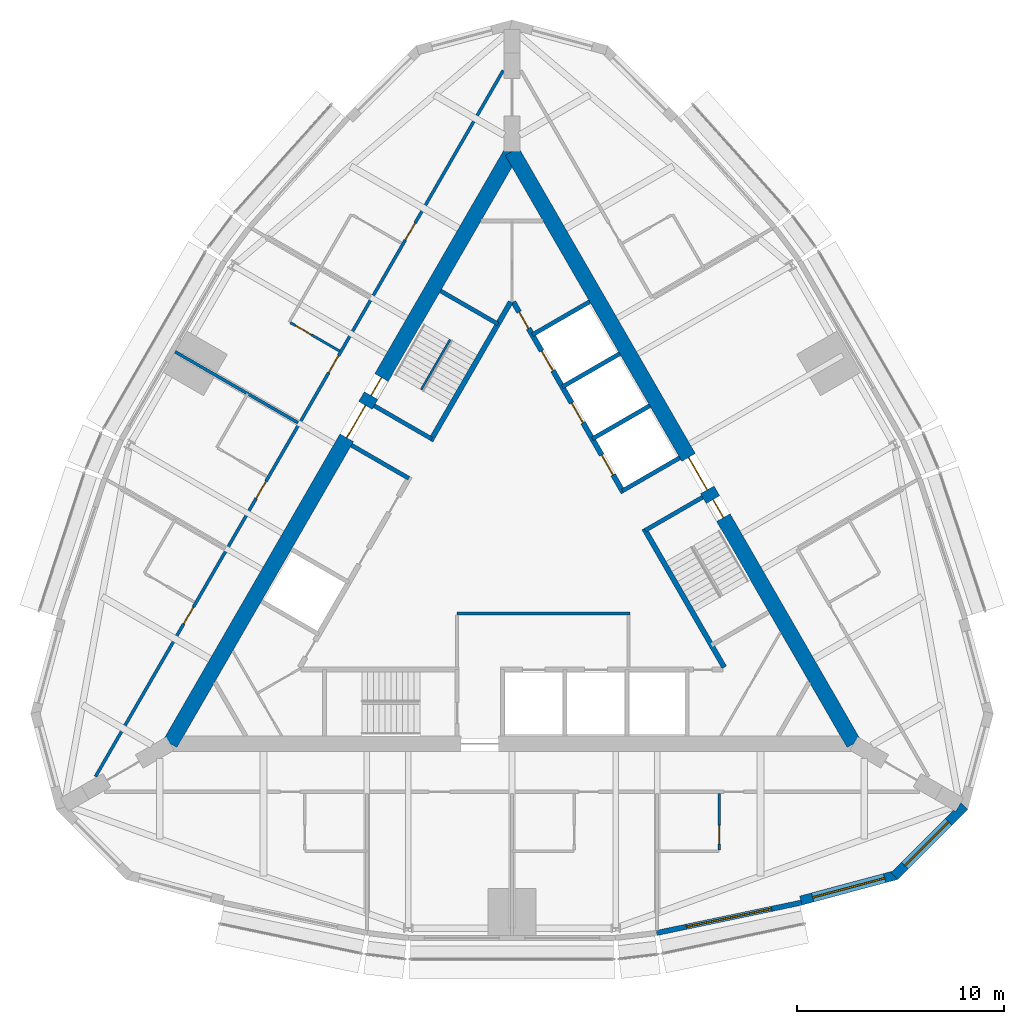
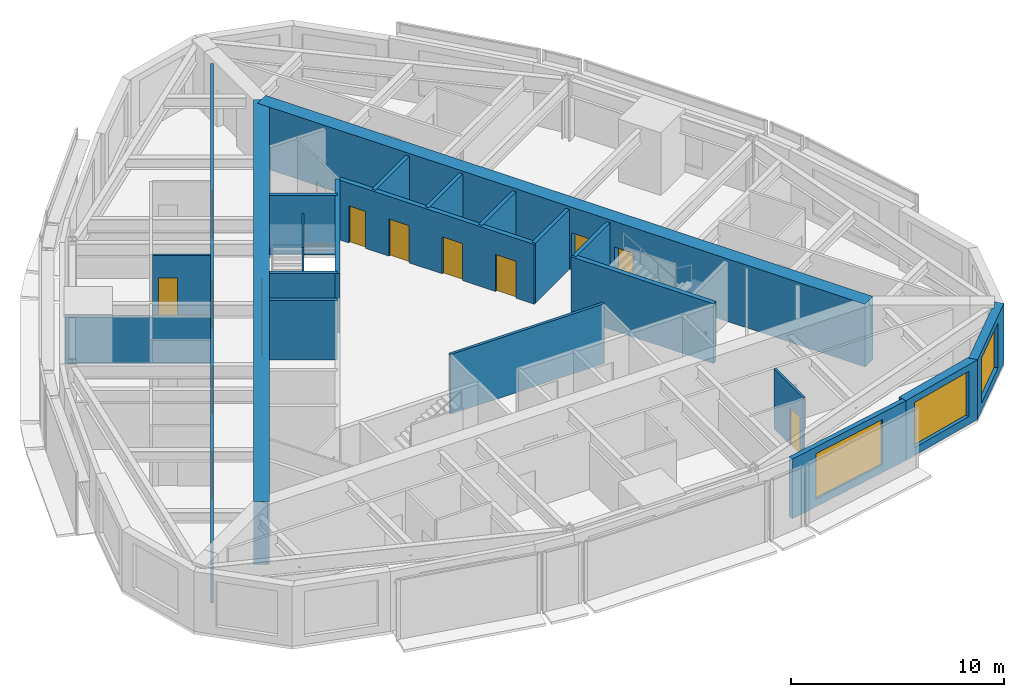
# One storey, part 9 of 12: 22 walls, 14 doors, 3 windows, 17 openings.
"""IFC4 building model written with IfcOpenShell, lengths in metres."""

import ifcopenshell
import ifcopenshell.guid

model = None  # the IFC model being written
_history = None  # IfcOwnerHistory: only IFC2X3 demands one
_inside = {}  # id of a spatial element -> (the spatial element, [elements in it])
_under = {}  # id of a project, library or spatial element -> (it, [spatial elements below it])
_declared = {}  # id of a project -> (the project, [libraries it declares])
_typed = {}  # id of a type object -> (the type object, [elements of that type])
_made_of = {}  # id of a material, layer set ... -> (it, [elements and type objects made of it])


def new_model(schema):
    """Start an empty IFC model of exactly this schema.

    Asked for "IFC4X3", IfcOpenShell would pick the latest addendum, in which some entities
    have other attributes; the version numbers below select the first issue.
    IFC2X3 requires an IfcOwnerHistory on every rooted entity: one is made here for all.
    """
    global model, _history
    if schema == "IFC4X3":
        model = ifcopenshell.file(schema_version=(4, 3, 0, 0))
    else:
        model = ifcopenshell.file(schema=schema)
    _inside.clear()
    _under.clear()
    _declared.clear()
    _typed.clear()
    _made_of.clear()
    _history = None
    if model.schema == "IFC2X3":
        org = make("IfcOrganization", Name="unknown")
        user = make(
            "IfcPersonAndOrganization",
            ThePerson=make("IfcPerson", FamilyName="unknown"),
            TheOrganization=org,
        )
        app = make(
            "IfcApplication",
            ApplicationDeveloper=org,
            Version="unknown",
            ApplicationFullName="unknown",
            ApplicationIdentifier="unknown",
        )
        _history = make(
            "IfcOwnerHistory",
            OwningUser=user,
            OwningApplication=app,
            ChangeAction="ADDED",
            CreationDate=0,
        )
    return model


def make(cls, **values):
    """One entity of the class cls with the attributes given. An attribute that is None is left unset."""
    return model.create_entity(
        cls, **{name: value for name, value in values.items() if value is not None}
    )


def rooted(cls, **values):
    """An entity with a GlobalId (a new one), such as an element, a storey or a relation."""
    return make(cls, GlobalId=ifcopenshell.guid.new(), OwnerHistory=_history, **values)


def si_unit(unit_type, name, prefix=None):
    """IfcSIUnit, for example si_unit("LENGTHUNIT", "METRE", prefix="MILLI")."""
    return make("IfcSIUnit", UnitType=unit_type, Prefix=prefix, Name=name)


def assignment(units):
    """IfcUnitAssignment: the units of a project."""
    return None if units is None else make("IfcUnitAssignment", Units=units)


def point(xyz):
    """IfcCartesianPoint."""
    return None if xyz is None else make("IfcCartesianPoint", Coordinates=xyz)


def direction(xyz):
    """IfcDirection."""
    return None if xyz is None else make("IfcDirection", DirectionRatios=xyz)


def frame(location, z_axis=None, x_axis=None):
    """IfcAxis2Placement3D, a coordinate frame: its origin and axes. An axis left out is left unset."""
    return make(
        "IfcAxis2Placement3D",
        Location=point(location),
        Axis=direction(z_axis),
        RefDirection=direction(x_axis),
    )


def frame_2d(location, x_axis=None):
    """IfcAxis2Placement2D, a coordinate frame in the plane: its origin and x axis."""
    return make(
        "IfcAxis2Placement2D", Location=point(location), RefDirection=direction(x_axis)
    )


def origin():
    """The frame at (0, 0, 0) with its axes left unset."""
    return frame((0.0, 0.0, 0.0))


def place(relative_to, where):
    """IfcLocalPlacement: puts the frame where relative to a parent placement (None: the world)."""
    return make(
        "IfcLocalPlacement", PlacementRelTo=relative_to, RelativePlacement=where
    )


def context(
    kind, dimensions, precision=None, world=None, true_north=None, identifier=None
):
    """IfcGeometricRepresentationContext, for example the 3D "Model" context."""
    return make(
        "IfcGeometricRepresentationContext",
        ContextIdentifier=identifier,
        ContextType=kind,
        CoordinateSpaceDimension=dimensions,
        Precision=precision,
        WorldCoordinateSystem=world,
        TrueNorth=true_north,
    )


def subcontext(parent, identifier, kind, view, scale=None):
    """IfcGeometricRepresentationSubContext, for example "Body" below "Model"."""
    return make(
        "IfcGeometricRepresentationSubContext",
        ContextIdentifier=identifier,
        ContextType=kind,
        ParentContext=parent,
        TargetScale=scale,
        TargetView=view,
    )


def project(units=None, contexts=None):
    """IfcProject with its units and contexts."""
    return rooted(
        "IfcProject",
        Name="project",
        RepresentationContexts=contexts,
        UnitsInContext=assignment(units),
    )


def spatial(cls, under=None, at=None, **own):
    """A site, building, storey or space (cls), placed at a placement, below another one or the project."""
    s = rooted(cls, ObjectPlacement=at, **own)
    if under is not None:
        _under.setdefault(under.id(), (under, []))[1].append(s)
    return s


def polyline(points):
    """IfcPolyline through the points."""
    return make("IfcPolyline", Points=[point(p) for p in points])


def profile(cls, at=None, kind="AREA", **sizes):
    """A parametric profile (cls). Its sizes go by their IFC names, for example OverallWidth=200.0."""
    return make(cls, ProfileType=kind, Position=at, **sizes)


def rectangle(**sizes):
    """IfcRectangleProfileDef."""
    return profile("IfcRectangleProfileDef", **sizes)


def outline(outer, holes=None, kind="AREA"):
    """IfcArbitraryClosedProfileDef: a profile drawn as a closed curve; with holes, ...WithVoids."""
    if holes is None:
        return make("IfcArbitraryClosedProfileDef", ProfileType=kind, OuterCurve=outer)
    return make(
        "IfcArbitraryProfileDefWithVoids",
        ProfileType=kind,
        OuterCurve=outer,
        InnerCurves=holes,
    )


def extrude(swept, where, along, depth):
    """IfcExtrudedAreaSolid: the profile swept, set in the frame where, extruded along a direction by depth."""
    return make(
        "IfcExtrudedAreaSolid",
        SweptArea=swept,
        Position=where,
        ExtrudedDirection=direction(along),
        Depth=depth,
    )


def shape(context_of_items, identifier, shape_type, items):
    """IfcShapeRepresentation: the items that make up one representation, for example the "Body"."""
    return make(
        "IfcShapeRepresentation",
        ContextOfItems=context_of_items,
        RepresentationIdentifier=identifier,
        RepresentationType=shape_type,
        Items=items,
    )


def material(Name=None, Category=None):
    """IfcMaterial."""
    return make("IfcMaterial", Name=Name, Category=Category)


def layer(
    of_material, thickness, ventilated=None, Name=None, Category=None, Priority=None
):
    """IfcMaterialLayer: one layer of a wall or slab, of a material (None: an air gap)."""
    return make(
        "IfcMaterialLayer",
        Material=of_material,
        LayerThickness=thickness,
        IsVentilated=ventilated,
        Name=Name,
        Category=Category,
        Priority=Priority,
    )


def layer_set(layers, Name=None):
    """IfcMaterialLayerSet."""
    return make("IfcMaterialLayerSet", MaterialLayers=layers, LayerSetName=Name)


def made_of(thing, what):
    """Note that an element or type object is made of a material, layer set ...; save() writes the relation."""
    if what is not None:
        _made_of.setdefault(what.id(), (what, []))[1].append(thing)
    return thing


def type_object(cls, material=None, **own):
    """A type object (cls), such as IfcWallType, which elements share."""
    return made_of(rooted(cls, **own), material)


def element(
    cls,
    number,
    at=None,
    inside=None,
    cuts=None,
    type_object=None,
    material=None,
    context=None,
    identifier="Body",
    shape_type=None,
    held_by="IfcProductDefinitionShape",
    body=None,
    shapes=None,
    **own,
):
    """One element of the class cls, such as IfcWall. Its Tag is "e" and its number.

    at: its placement. inside: the storey or other place that contains it. cuts: it is an
    opening in that element (IfcRelVoidsElement). A single representation is given by context,
    identifier, shape_type and body (its items); several are given by shapes. held_by: the class
    of the entity that holds the representations. save() writes the other relations.
    """
    e = rooted(cls, Tag="e%d" % number, ObjectPlacement=at, **own)
    if body is not None:
        shapes = [shape(context, identifier, shape_type, body)]
    if shapes is not None:
        e.Representation = make(held_by, Representations=shapes)
    if inside is not None:
        _inside.setdefault(inside.id(), (inside, []))[1].append(e)
    if cuts is not None:
        rooted(
            "IfcRelVoidsElement", RelatingBuildingElement=cuts, RelatedOpeningElement=e
        )
    if type_object is not None:
        _typed.setdefault(type_object.id(), (type_object, []))[1].append(e)
    return made_of(e, material)


def fill(opening, filler):
    """IfcRelFillsElement: the door or window that sits in an opening."""
    return rooted(
        "IfcRelFillsElement",
        RelatingOpeningElement=opening,
        RelatedBuildingElement=filler,
    )


def aggregate(whole, parts):
    """IfcRelAggregates: a whole, such as a stair, and the parts it consists of."""
    return rooted("IfcRelAggregates", RelatingObject=whole, RelatedObjects=parts)


def save(model, path):
    """Write the relations noted so far, then the file.

    IfcRelAggregates (storeys below a building ...), IfcRelContainedInSpatialStructure (elements
    in a storey), IfcRelDefinesByType, IfcRelAssociatesMaterial and IfcRelDeclares: one each for
    every whole, place, type object, material and project.
    """
    for whole, parts in _under.values():
        aggregate(whole, parts)
    for where, things in _inside.values():
        rooted(
            "IfcRelContainedInSpatialStructure",
            RelatedElements=things,
            RelatingStructure=where,
        )
    for kind, things in _typed.values():
        rooted("IfcRelDefinesByType", RelatedObjects=things, RelatingType=kind)
    for what, things in _made_of.values():
        rooted("IfcRelAssociatesMaterial", RelatedObjects=things, RelatingMaterial=what)
    for by, libraries in _declared.values():
        rooted("IfcRelDeclares", RelatingContext=by, RelatedDefinitions=libraries)
    model.write(path)


model = new_model("IFC4")

# Units and contexts
model_context = context("Model", 3, precision=1e-05, world=origin(), true_north=direction((0.0, 1.0)))
body_context = subcontext(model_context, "Body", "Model", "MODEL_VIEW")
ifc_project = project(units=[si_unit("LENGTHUNIT", "METRE"), si_unit("AREAUNIT", "SQUARE_METRE"), si_unit("VOLUMEUNIT", "CUBIC_METRE"), si_unit("PLANEANGLEUNIT", "RADIAN"), si_unit("MASSUNIT", "GRAM", prefix="KILO")], contexts=[model_context])

# Site, building, storey
site_placement = place(None, origin())
site = spatial("IfcSite", under=ifc_project, at=site_placement, CompositionType="ELEMENT")
building_placement = place(site_placement, origin())
building = spatial("IfcBuilding", under=site, at=building_placement, Name="Trikona Tower", CompositionType="ELEMENT")
storey_placement = place(building_placement, frame((0.0, 0.0, 242.89990234375)))
storey = spatial("IfcBuildingStorey", under=building, at=storey_placement, Name="L64", CompositionType="ELEMENT", Elevation=242.89990234375)

# Wall, opening, door
ifc_material_1 = material(Name="Metal stud and cement board", Category="gypsum")
ifc_layer_1 = layer(ifc_material_1, 0.1201171875)
ifc_layer_set_1 = layer_set([ifc_layer_1], Name="Bathroom wall 120")
wall_type_1 = type_object("IfcWallType", Name="Bathroom wall 120", PredefinedType="PLUMBINGWALL", material=ifc_layer_set_1)
wall_1_placement = place(storey_placement, frame((10.0, -11.92626953125, 0.0), z_axis=(0.0, 0.0, 1.0), x_axis=(0.0, -1.0, 0.0)))
wall_1 = element("IfcWall", 1, at=wall_1_placement, inside=storey, type_object=wall_type_1, Name="Bathroom wall 6403", PredefinedType="PLUMBINGWALL", context=body_context, shape_type="SweptSolid", body=[
    extrude(rectangle(XDim=2.739990234375, YDim=0.1201171875, at=frame_2d((1.3701171875, 0.0))), origin(), (0.0, 0.0, 1.0), 3.43505859375),
])
opening_1_placement = place(wall_1_placement, frame((1.550048828125, 0.0, 0.0)))
opening_1 = element("IfcOpeningElement", 2, at=opening_1_placement, cuts=wall_1, Name="Opening D2", PredefinedType="OPENING", context=body_context, shape_type="SweptSolid", body=[
    extrude(rectangle(XDim=0.89990234375, YDim=2.1298828125, at=frame_2d((0.449951171875, 1.06494140625))), frame((0.0, 0.070068359375, 0.0), z_axis=(0.0, -1.0, 0.0), x_axis=(1.0, 0.0, 0.0)), (0.0, 0.0, 1.0), 0.14013671875),
])
ifc_material_2 = material(Name="Steel door frame with solid-core timber leaf", Category="steel")
door_type_1 = type_object("IfcDoorType", Name="Bathroom door 900x2130", OperationType="SLIDING_TO_LEFT", PredefinedType="DOOR", material=ifc_material_2)
door_1_placement = place(opening_1_placement, origin())
door_1 = element("IfcDoor", 3, at=door_1_placement, inside=storey, type_object=door_type_1, Name="Bathroom door 6403", OperationType="SLIDING_TO_LEFT", OverallHeight=2.1298828125, OverallWidth=0.89990234375, PredefinedType="DOOR", context=body_context, shape_type="SweptSolid", body=[
    extrude(rectangle(XDim=0.89990234375, YDim=2.1298828125, at=frame_2d((0.449951171875, 1.06494140625))), frame((0.0, 0.02490234375, 0.0), z_axis=(0.0, -1.0, 0.0), x_axis=(1.0, 0.0, 0.0)), (0.0, 0.0, 1.0), 0.050048828125),
])
fill(opening_1, door_1)

wall_2_placement = place(storey_placement, frame((-8.32861328125, 9.42724609375, 0.0), z_axis=(0.0, 0.0, 1.0), x_axis=(-0.866035715982, 0.499982138324, 0.0)))
wall_2 = element("IfcWall", 4, at=wall_2_placement, inside=storey, type_object=wall_type_1, Name="Bathroom wall 6407", PredefinedType="PLUMBINGWALL", context=body_context, shape_type="SweptSolid", body=[
    extrude(rectangle(XDim=2.73974609375, YDim=0.1201171875, at=frame_2d((1.369873046875, 0.0))), origin(), (0.0, 0.0, 1.0), 3.43505859375),
])
opening_2_placement = place(wall_2_placement, frame((1.550048828125, 0.0, 0.0)))
opening_2 = element("IfcOpeningElement", 5, at=opening_2_placement, cuts=wall_2, Name="Opening D2", PredefinedType="OPENING", context=body_context, shape_type="SweptSolid", body=[
    extrude(rectangle(XDim=0.89990234375, YDim=2.1298828125, at=frame_2d((0.449951171875, 1.06494140625))), frame((0.0, 0.070068359375, 0.0), z_axis=(0.0, -1.0, 0.0), x_axis=(1.0, 0.0, 0.0)), (0.0, 0.0, 1.0), 0.14013671875),
])
door_2_placement = place(opening_2_placement, origin())
door_2 = element("IfcDoor", 6, at=door_2_placement, inside=storey, type_object=door_type_1, Name="Bathroom door 6407", OperationType="SLIDING_TO_LEFT", OverallHeight=2.1298828125, OverallWidth=0.89990234375, PredefinedType="DOOR", context=body_context, shape_type="SweptSolid", body=[
    extrude(rectangle(XDim=0.89990234375, YDim=2.1298828125, at=frame_2d((0.449951171875, 1.06494140625))), frame((0.0, 0.02490234375, 0.0), z_axis=(0.0, -1.0, 0.0), x_axis=(1.0, 0.0, 0.0)), (0.0, 0.0, 1.0), 0.050048828125),
])
fill(opening_2, door_2)

# Wall, opening, window
ifc_material_3 = material(Name="Brick-faced precast concrete", Category="masonry")
ifc_layer_2 = layer(ifc_material_3, 0.449951171875)
ifc_layer_set_2 = layer_set([ifc_layer_2], Name="Brick-faced corner wall 450")
wall_type_2 = type_object("IfcWallType", Name="Brick-faced corner wall 450", PredefinedType="SOLIDWALL", material=ifc_layer_set_2)
wall_3_placement = place(storey_placement, frame((13.94189453125, -17.103271484375, 0.0), z_axis=(0.0, 0.0, 1.0), x_axis=(0.965913862671, 0.258863689806, 0.0)))
wall_3 = element("IfcWall", 7, at=wall_3_placement, inside=storey, type_object=wall_type_2, Name="External wall L64-05", PredefinedType="SOLIDWALL", context=body_context, shape_type="SweptSolid", body=[
    extrude(rectangle(XDim=4.78173828125, YDim=0.449951171875, at=frame_2d((2.390869140625, 0.0))), origin(), (0.0, 0.0, 1.0), 3.43505859375),
])
opening_3_placement = place(wall_3_placement, frame((0.5908203125, 0.0, 0.449951171875)))
opening_3 = element("IfcOpeningElement", 8, at=opening_3_placement, cuts=wall_3, Name="Opening W3626", PredefinedType="OPENING", context=body_context, shape_type="SweptSolid", body=[
    extrude(rectangle(XDim=3.60009765625, YDim=2.60009765625, at=frame_2d((1.800048828125, 1.300048828125))), frame((0.0, 0.23486328125, 0.0), z_axis=(0.0, -1.0, 0.0), x_axis=(1.0, 0.0, 0.0)), (0.0, 0.0, 1.0), 0.469970703125),
])
ifc_material_4 = material(Name="Aluminium-framed double glazing", Category="aluminium")
window_type_1 = type_object("IfcWindowType", Name="Window 3600x2600", PartitioningType="SINGLE_PANEL", PredefinedType="WINDOW", material=ifc_material_4)
window_1_placement = place(opening_3_placement, origin())
window_1 = element("IfcWindow", 9, at=window_1_placement, inside=storey, type_object=window_type_1, Name="Window 6403", OverallHeight=2.60009765625, OverallWidth=3.60009765625, PartitioningType="SINGLE_PANEL", PredefinedType="WINDOW", context=body_context, shape_type="SweptSolid", body=[
    extrude(rectangle(XDim=3.60009765625, YDim=2.60009765625, at=frame_2d((1.800048828125, 1.300048828125))), frame((0.0, 0.030029296875, 0.0), z_axis=(0.0, -1.0, 0.0), x_axis=(1.0, 0.0, 0.0)), (0.0, 0.0, 1.0), 0.06005859375),
])
fill(opening_3, window_1)

wall_4_placement = place(storey_placement, frame((18.459716796875, -15.923828125, 0.0), z_axis=(0.0, 0.0, 1.0), x_axis=(0.707081252484, 0.707132308968, 0.0)))
wall_4 = element("IfcWall", 10, at=wall_4_placement, inside=storey, type_object=wall_type_2, Name="External wall L64-06", PredefinedType="SOLIDWALL", context=body_context, shape_type="SweptSolid", body=[
    extrude(outline(polyline([(4.78173828125, 0.22509765625), (4.722900390625, 0.22509765625), (4.302978515625, 0.112548828125), (4.27294921875, 0.22509765625), (0.0, 0.22509765625), (0.0, -0.22509765625), (4.78173828125, -0.22509765625), (4.78173828125, 0.22509765625)])), origin(), (0.0, 0.0, 1.0), 3.43505859375),
])
opening_4_placement = place(wall_4_placement, frame((0.71142578125, 0.0, 0.449951171875)))
opening_4 = element("IfcOpeningElement", 11, at=opening_4_placement, cuts=wall_4, Name="Opening W3026", PredefinedType="OPENING", context=body_context, shape_type="SweptSolid", body=[
    extrude(rectangle(XDim=3.0, YDim=2.60009765625, at=frame_2d((1.5, 1.300048828125))), frame((0.0, 0.23486328125, 0.0), z_axis=(0.0, -1.0, 0.0), x_axis=(1.0, 0.0, 0.0)), (0.0, 0.0, 1.0), 0.469970703125),
])
ifc_material_5 = material(Name="Aluminium-framed double glazing", Category="aluminium")
window_type_2 = type_object("IfcWindowType", Name="Window 3000x2600", PartitioningType="SINGLE_PANEL", PredefinedType="WINDOW", material=ifc_material_5)
window_2_placement = place(opening_4_placement, origin())
window_2 = element("IfcWindow", 12, at=window_2_placement, inside=storey, type_object=window_type_2, Name="Window 6403", OverallHeight=2.60009765625, OverallWidth=3.0, PartitioningType="SINGLE_PANEL", PredefinedType="WINDOW", context=body_context, shape_type="SweptSolid", body=[
    extrude(rectangle(XDim=3.0, YDim=2.60009765625, at=frame_2d((1.5, 1.300048828125))), frame((0.0, 0.030029296875, 0.0), z_axis=(0.0, -1.0, 0.0), x_axis=(1.0, 0.0, 0.0)), (0.0, 0.0, 1.0), 0.06005859375),
])
fill(opening_4, window_2)

# Wall, openings, doors
ifc_material_6 = material(Name="Concrete f'c 10000 psi", Category="concrete")
ifc_layer_3 = layer(ifc_material_6, 0.75)
ifc_layer_set_3 = layer_set([ifc_layer_3], Name="Core wall 750")
wall_type_3 = type_object("IfcWallType", Name="Core wall 750", PredefinedType="SHEAR", material=ifc_layer_set_3)
wall_5_placement = place(storey_placement, frame((16.5, -9.5263671875, 0.0), z_axis=(0.0, 0.0, 1.0), x_axis=(-0.499999749417, 0.866025548458, 0.0)))
wall_5 = element("IfcWall", 13, at=wall_5_placement, inside=storey, type_object=wall_type_3, Name="Core wall B", PredefinedType="SHEAR", context=body_context, shape_type="SweptSolid", body=[
    extrude(rectangle(XDim=33.0, YDim=0.75, at=frame_2d((16.5, 0.0))), origin(), (0.0, 0.0, 1.0), 3.60009765625),
])
opening_5_placement = place(wall_5_placement, frame((14.14990234375, 0.0, 0.0)))
opening_5 = element("IfcOpeningElement", 14, at=opening_5_placement, cuts=wall_5, Name="Opening D6", PredefinedType="OPENING", context=body_context, shape_type="SweptSolid", body=[
    extrude(rectangle(XDim=1.800048828125, YDim=2.1298828125, at=frame_2d((0.89990234375, 1.06494140625))), frame((0.0, 0.385009765625, 0.0), z_axis=(0.0, -1.0, 0.0), x_axis=(1.0, 0.0, 0.0)), (0.0, 0.0, 1.0), 0.77001953125),
])
opening_6_placement = place(wall_5_placement, frame((12.60009765625, 0.0, 0.0)))
opening_6 = element("IfcOpeningElement", 15, at=opening_6_placement, cuts=wall_5, Name="Opening D5", PredefinedType="OPENING", context=body_context, shape_type="SweptSolid", body=[
    extrude(rectangle(XDim=1.0, YDim=2.1298828125, at=frame_2d((0.5, 1.06494140625))), frame((0.0, 0.385009765625, 0.0), z_axis=(0.0, -1.0, 0.0), x_axis=(1.0, 0.0, 0.0)), (0.0, 0.0, 1.0), 0.77001953125),
])
ifc_material_7 = material(Name="Hollow metal door and frame", Category="steel")
door_type_2 = type_object("IfcDoorType", Name="Lobby door pair 1800x2130", OperationType="DOUBLE_DOOR_SINGLE_SWING", PredefinedType="DOOR", material=ifc_material_7)
door_3_placement = place(opening_5_placement, origin())
door_3 = element("IfcDoor", 16, at=door_3_placement, inside=storey, type_object=door_type_2, Name="Lift lobby door B", OperationType="DOUBLE_DOOR_SINGLE_SWING", OverallHeight=2.1298828125, OverallWidth=1.800048828125, PredefinedType="DOOR", context=body_context, shape_type="SweptSolid", body=[
    extrude(rectangle(XDim=1.800048828125, YDim=2.1298828125, at=frame_2d((0.89990234375, 1.06494140625))), frame((0.0, 0.02490234375, 0.0), z_axis=(0.0, -1.0, 0.0), x_axis=(1.0, 0.0, 0.0)), (0.0, 0.0, 1.0), 0.050048828125),
])
fill(opening_5, door_3)
ifc_material_8 = material(Name="Hollow metal door and frame", Category="steel")
door_type_3 = type_object("IfcDoorType", Name="Stair door 1000x2130", OperationType="SINGLE_SWING_LEFT", PredefinedType="DOOR", material=ifc_material_8)
door_4_placement = place(opening_6_placement, origin())
door_4 = element("IfcDoor", 17, at=door_4_placement, inside=storey, type_object=door_type_3, Name="Stair B door", OperationType="SINGLE_SWING_RIGHT", OverallHeight=2.1298828125, OverallWidth=1.0, PredefinedType="DOOR", context=body_context, shape_type="SweptSolid", body=[
    extrude(rectangle(XDim=1.0, YDim=2.1298828125, at=frame_2d((0.5, 1.06494140625))), frame((0.0, 0.02490234375, 0.0), z_axis=(0.0, -1.0, 0.0), x_axis=(1.0, 0.0, 0.0)), (0.0, 0.0, 1.0), 0.050048828125),
])
fill(opening_6, door_4)

wall_6_placement = place(storey_placement, frame((0.0, 19.052490234375, 0.0), z_axis=(0.0, 0.0, 1.0), x_axis=(-0.499999749417, -0.866025548458, 0.0)))
wall_6 = element("IfcWall", 18, at=wall_6_placement, inside=storey, type_object=wall_type_3, Name="Core wall C", PredefinedType="SHEAR", context=body_context, shape_type="SweptSolid", body=[
    extrude(rectangle(XDim=33.0, YDim=0.75, at=frame_2d((16.5, 0.0))), origin(), (0.0, 0.0, 1.0), 3.60009765625),
])
opening_7_placement = place(wall_6_placement, frame((14.14990234375, 0.0, 0.0)))
opening_7 = element("IfcOpeningElement", 19, at=opening_7_placement, cuts=wall_6, Name="Opening D6", PredefinedType="OPENING", context=body_context, shape_type="SweptSolid", body=[
    extrude(rectangle(XDim=1.800048828125, YDim=2.1298828125, at=frame_2d((0.89990234375, 1.06494140625))), frame((0.0, 0.385009765625, 0.0), z_axis=(0.0, -1.0, 0.0), x_axis=(1.0, 0.0, 0.0)), (0.0, 0.0, 1.0), 0.77001953125),
])
opening_8_placement = place(wall_6_placement, frame((12.60009765625, 0.0, 0.0)))
opening_8 = element("IfcOpeningElement", 20, at=opening_8_placement, cuts=wall_6, Name="Opening D5", PredefinedType="OPENING", context=body_context, shape_type="SweptSolid", body=[
    extrude(rectangle(XDim=1.0, YDim=2.1298828125, at=frame_2d((0.5, 1.06494140625))), frame((0.0, 0.385009765625, 0.0), z_axis=(0.0, -1.0, 0.0), x_axis=(1.0, 0.0, 0.0)), (0.0, 0.0, 1.0), 0.77001953125),
])
door_5_placement = place(opening_7_placement, origin())
door_5 = element("IfcDoor", 21, at=door_5_placement, inside=storey, type_object=door_type_2, Name="Lift lobby door C", OperationType="DOUBLE_DOOR_SINGLE_SWING", OverallHeight=2.1298828125, OverallWidth=1.800048828125, PredefinedType="DOOR", context=body_context, shape_type="SweptSolid", body=[
    extrude(rectangle(XDim=1.800048828125, YDim=2.1298828125, at=frame_2d((0.89990234375, 1.06494140625))), frame((0.0, 0.02490234375, 0.0), z_axis=(0.0, -1.0, 0.0), x_axis=(1.0, 0.0, 0.0)), (0.0, 0.0, 1.0), 0.050048828125),
])
fill(opening_7, door_5)
door_6_placement = place(opening_8_placement, origin())
door_6 = element("IfcDoor", 22, at=door_6_placement, inside=storey, type_object=door_type_3, Name="Stair C door", OperationType="SINGLE_SWING_RIGHT", OverallHeight=2.1298828125, OverallWidth=1.0, PredefinedType="DOOR", context=body_context, shape_type="SweptSolid", body=[
    extrude(rectangle(XDim=1.0, YDim=2.1298828125, at=frame_2d((0.5, 1.06494140625))), frame((0.0, 0.02490234375, 0.0), z_axis=(0.0, -1.0, 0.0), x_axis=(1.0, 0.0, 0.0)), (0.0, 0.0, 1.0), 0.050048828125),
])
fill(opening_8, door_6)

ifc_material_9 = material(Name="Metal stud and gypsum board, 1-hour", Category="gypsum")
ifc_layer_4 = layer(ifc_material_9, 0.14990234375)
ifc_layer_set_4 = layer_set([ifc_layer_4], Name="Corridor wall 150")
wall_type_4 = type_object("IfcWallType", Name="Corridor wall 150", PredefinedType="PARTITIONING", material=ifc_layer_set_4)
wall_7_placement = place(storey_placement, frame((-0.425048828125, 22.96630859375, 0.0), z_axis=(0.0, 0.0, 1.0), x_axis=(-0.500000265775, -0.866025250339, 0.0)))
wall_7 = element("IfcWall", 23, at=wall_7_placement, inside=storey, type_object=wall_type_4, Name="Corridor wall L64-3", PredefinedType="PARTITIONING", context=body_context, shape_type="SweptSolid", body=[
    extrude(rectangle(XDim=39.35400390625, YDim=0.14990234375, at=frame_2d((19.677001953125, 0.0))), origin(), (0.0, 0.0, 1.0), 3.43505859375),
])
opening_9_placement = place(wall_7_placement, frame((8.501953125, 0.0, 0.0)))
opening_9 = element("IfcOpeningElement", 24, at=opening_9_placement, cuts=wall_7, Name="Opening D1", PredefinedType="OPENING", context=body_context, shape_type="SweptSolid", body=[
    extrude(rectangle(XDim=0.949951171875, YDim=2.1298828125, at=frame_2d((0.47509765625, 1.06494140625))), frame((0.0, 0.0849609375, 0.0), z_axis=(0.0, -1.0, 0.0), x_axis=(1.0, 0.0, 0.0)), (0.0, 0.0, 1.0), 0.169921875),
])
opening_10_placement = place(wall_7_placement, frame((15.902099609375, 0.0, 0.0)))
opening_10 = element("IfcOpeningElement", 25, at=opening_10_placement, cuts=wall_7, Name="Opening D1", PredefinedType="OPENING", context=body_context, shape_type="SweptSolid", body=[
    extrude(rectangle(XDim=0.949951171875, YDim=2.1298828125, at=frame_2d((0.47509765625, 1.06494140625))), frame((0.0, 0.0849609375, 0.0), z_axis=(0.0, -1.0, 0.0), x_axis=(1.0, 0.0, 0.0)), (0.0, 0.0, 1.0), 0.169921875),
])
opening_11_placement = place(wall_7_placement, frame((22.902099609375, 0.0, 0.0)))
opening_11 = element("IfcOpeningElement", 26, at=opening_11_placement, cuts=wall_7, Name="Opening D1", PredefinedType="OPENING", context=body_context, shape_type="SweptSolid", body=[
    extrude(rectangle(XDim=0.949951171875, YDim=2.1298828125, at=frame_2d((0.47509765625, 1.06494140625))), frame((0.0, 0.0849609375, 0.0), z_axis=(0.0, -1.0, 0.0), x_axis=(1.0, 0.0, 0.0)), (0.0, 0.0, 1.0), 0.169921875),
])
opening_12_placement = place(wall_7_placement, frame((29.902099609375, 0.0, 0.0)))
opening_12 = element("IfcOpeningElement", 27, at=opening_12_placement, cuts=wall_7, Name="Opening D1", PredefinedType="OPENING", context=body_context, shape_type="SweptSolid", body=[
    extrude(rectangle(XDim=0.949951171875, YDim=2.1298828125, at=frame_2d((0.47509765625, 1.06494140625))), frame((0.0, 0.0849609375, 0.0), z_axis=(0.0, -1.0, 0.0), x_axis=(1.0, 0.0, 0.0)), (0.0, 0.0, 1.0), 0.169921875),
])
ifc_material_10 = material(Name="Steel door frame with solid-core timber leaf", Category="steel")
door_type_4 = type_object("IfcDoorType", Name="Guest room door 950x2130", OperationType="SINGLE_SWING_LEFT", PredefinedType="DOOR", material=ifc_material_10)
door_7_placement = place(opening_9_placement, origin())
door_7 = element("IfcDoor", 28, at=door_7_placement, inside=storey, type_object=door_type_4, Name="Room door 6406", OperationType="SINGLE_SWING_LEFT", OverallHeight=2.1298828125, OverallWidth=0.949951171875, PredefinedType="DOOR", context=body_context, shape_type="SweptSolid", body=[
    extrude(rectangle(XDim=0.949951171875, YDim=2.1298828125, at=frame_2d((0.47509765625, 1.06494140625))), frame((0.0, 0.02490234375, 0.0), z_axis=(0.0, -1.0, 0.0), x_axis=(1.0, 0.0, 0.0)), (0.0, 0.0, 1.0), 0.050048828125),
])
fill(opening_9, door_7)
door_8_placement = place(opening_10_placement, origin())
door_8 = element("IfcDoor", 29, at=door_8_placement, inside=storey, type_object=door_type_4, Name="Room door 6407", OperationType="SINGLE_SWING_RIGHT", OverallHeight=2.1298828125, OverallWidth=0.949951171875, PredefinedType="DOOR", context=body_context, shape_type="SweptSolid", body=[
    extrude(rectangle(XDim=0.949951171875, YDim=2.1298828125, at=frame_2d((0.47509765625, 1.06494140625))), frame((0.0, 0.02490234375, 0.0), z_axis=(0.0, -1.0, 0.0), x_axis=(1.0, 0.0, 0.0)), (0.0, 0.0, 1.0), 0.050048828125),
])
fill(opening_10, door_8)
door_9_placement = place(opening_11_placement, origin())
door_9 = element("IfcDoor", 30, at=door_9_placement, inside=storey, type_object=door_type_4, Name="Room door 6408", OperationType="SINGLE_SWING_LEFT", OverallHeight=2.1298828125, OverallWidth=0.949951171875, PredefinedType="DOOR", context=body_context, shape_type="SweptSolid", body=[
    extrude(rectangle(XDim=0.949951171875, YDim=2.1298828125, at=frame_2d((0.47509765625, 1.06494140625))), frame((0.0, 0.02490234375, 0.0), z_axis=(0.0, -1.0, 0.0), x_axis=(1.0, 0.0, 0.0)), (0.0, 0.0, 1.0), 0.050048828125),
])
fill(opening_11, door_9)
door_10_placement = place(opening_12_placement, origin())
door_10 = element("IfcDoor", 31, at=door_10_placement, inside=storey, type_object=door_type_4, Name="Room door 6409", OperationType="SINGLE_SWING_RIGHT", OverallHeight=2.1298828125, OverallWidth=0.949951171875, PredefinedType="DOOR", context=body_context, shape_type="SweptSolid", body=[
    extrude(rectangle(XDim=0.949951171875, YDim=2.1298828125, at=frame_2d((0.47509765625, 1.06494140625))), frame((0.0, 0.02490234375, 0.0), z_axis=(0.0, -1.0, 0.0), x_axis=(1.0, 0.0, 0.0)), (0.0, 0.0, 1.0), 0.050048828125),
])
fill(opening_12, door_10)

# Wall
ifc_material_11 = material(Name="Concrete f'c 8000 psi", Category="concrete")
ifc_layer_5 = layer(ifc_material_11, 0.25)
ifc_layer_set_5 = layer_set([ifc_layer_5], Name="Hub wall 250")
wall_type_5 = type_object("IfcWallType", Name="Hub wall 250", PredefinedType="SOLIDWALL", material=ifc_layer_set_5)
wall_8_placement = place(storey_placement, frame((10.245361328125, -5.843017578125, 0.0), z_axis=(0.0, 0.0, 1.0), x_axis=(-0.499993009313, 0.866029439822, 0.0)))
element("IfcWall", 32, at=wall_8_placement, inside=storey, type_object=wall_type_5, Name="Lift lobby wall B1", PredefinedType="SOLIDWALL", context=body_context, shape_type="SweptSolid", body=[
    extrude(rectangle(XDim=7.73291015625, YDim=0.25, at=frame_2d((3.866455078125, 0.0))), origin(), (0.0, 0.0, 1.0), 3.43505859375),
])

# Wall, openings, doors
wall_9_placement = place(storey_placement, frame((5.37890625, 2.5859375, 0.0), z_axis=(0.0, 0.0, 1.0), x_axis=(-0.500001375892, 0.866024609411, 0.0)))
wall_9 = element("IfcWall", 33, at=wall_9_placement, inside=storey, type_object=wall_type_5, Name="Lift lobby wall B2", PredefinedType="SOLIDWALL", context=body_context, shape_type="SweptSolid", body=[
    extrude(rectangle(XDim=10.6328125, YDim=0.25, at=frame_2d((5.31640625, 0.0))), origin(), (0.0, 0.0, 1.0), 3.43505859375),
])
opening_13_placement = place(wall_9_placement, frame((9.1640625, 0.0, 0.0)))
opening_13 = element("IfcOpeningElement", 34, at=opening_13_placement, cuts=wall_9, Name="Opening D14", PredefinedType="OPENING", context=body_context, shape_type="SweptSolid", body=[
    extrude(rectangle(XDim=0.89990234375, YDim=2.1298828125, at=frame_2d((0.449951171875, 1.06494140625))), frame((0.0, 0.135009765625, 0.0), z_axis=(0.0, -1.0, 0.0), x_axis=(1.0, 0.0, 0.0)), (0.0, 0.0, 1.0), 0.27001953125),
])
opening_14_placement = place(wall_9_placement, frame((1.0, 0.0, 0.0)))
opening_14 = element("IfcOpeningElement", 35, at=opening_14_placement, cuts=wall_9, Name="Opening LD", PredefinedType="OPENING", context=body_context, shape_type="SweptSolid", body=[
    extrude(rectangle(XDim=1.10009765625, YDim=2.1298828125, at=frame_2d((0.550048828125, 1.06494140625))), frame((0.0, 0.135009765625, 0.0), z_axis=(0.0, -1.0, 0.0), x_axis=(1.0, 0.0, 0.0)), (0.0, 0.0, 1.0), 0.27001953125),
])
opening_15_placement = place(wall_9_placement, frame((3.89990234375, 0.0, 0.0)))
opening_15 = element("IfcOpeningElement", 36, at=opening_15_placement, cuts=wall_9, Name="Opening LD", PredefinedType="OPENING", context=body_context, shape_type="SweptSolid", body=[
    extrude(rectangle(XDim=1.10009765625, YDim=2.1298828125, at=frame_2d((0.550048828125, 1.06494140625))), frame((0.0, 0.135009765625, 0.0), z_axis=(0.0, -1.0, 0.0), x_axis=(1.0, 0.0, 0.0)), (0.0, 0.0, 1.0), 0.27001953125),
])
opening_16_placement = place(wall_9_placement, frame((6.800048828125, 0.0, 0.0)))
opening_16 = element("IfcOpeningElement", 37, at=opening_16_placement, cuts=wall_9, Name="Opening LD", PredefinedType="OPENING", context=body_context, shape_type="SweptSolid", body=[
    extrude(rectangle(XDim=1.10009765625, YDim=2.1298828125, at=frame_2d((0.550048828125, 1.06494140625))), frame((0.0, 0.135009765625, 0.0), z_axis=(0.0, -1.0, 0.0), x_axis=(1.0, 0.0, 0.0)), (0.0, 0.0, 1.0), 0.27001953125),
])
ifc_material_12 = material(Name="Stainless steel lift landing door", Category="steel")
door_type_5 = type_object("IfcDoorType", Name="Lift landing door 1100x2130", OperationType="DOUBLE_DOOR_SLIDING", PredefinedType="USERDEFINED", material=ifc_material_12)
door_11_placement = place(opening_14_placement, origin())
door_11 = element("IfcDoor", 38, at=door_11_placement, inside=storey, type_object=door_type_5, Name="Lift landing door L3-1", ObjectType="LIFT LANDING DOOR", OperationType="DOUBLE_DOOR_SLIDING", OverallHeight=2.1298828125, OverallWidth=1.10009765625, PredefinedType="USERDEFINED", context=body_context, shape_type="SweptSolid", body=[
    extrude(rectangle(XDim=1.10009765625, YDim=2.1298828125, at=frame_2d((0.550048828125, 1.06494140625))), frame((0.0, 0.02490234375, 0.0), z_axis=(0.0, -1.0, 0.0), x_axis=(1.0, 0.0, 0.0)), (0.0, 0.0, 1.0), 0.050048828125),
])
fill(opening_14, door_11)
door_12_placement = place(opening_15_placement, origin())
door_12 = element("IfcDoor", 39, at=door_12_placement, inside=storey, type_object=door_type_5, Name="Lift landing door L3-2", ObjectType="LIFT LANDING DOOR", OperationType="DOUBLE_DOOR_SLIDING", OverallHeight=2.1298828125, OverallWidth=1.10009765625, PredefinedType="USERDEFINED", context=body_context, shape_type="SweptSolid", body=[
    extrude(rectangle(XDim=1.10009765625, YDim=2.1298828125, at=frame_2d((0.550048828125, 1.06494140625))), frame((0.0, 0.02490234375, 0.0), z_axis=(0.0, -1.0, 0.0), x_axis=(1.0, 0.0, 0.0)), (0.0, 0.0, 1.0), 0.050048828125),
])
fill(opening_15, door_12)
door_13_placement = place(opening_16_placement, origin())
door_13 = element("IfcDoor", 40, at=door_13_placement, inside=storey, type_object=door_type_5, Name="Lift landing door L3-3", ObjectType="LIFT LANDING DOOR", OperationType="DOUBLE_DOOR_SLIDING", OverallHeight=2.1298828125, OverallWidth=1.10009765625, PredefinedType="USERDEFINED", context=body_context, shape_type="SweptSolid", body=[
    extrude(rectangle(XDim=1.10009765625, YDim=2.1298828125, at=frame_2d((0.550048828125, 1.06494140625))), frame((0.0, 0.02490234375, 0.0), z_axis=(0.0, -1.0, 0.0), x_axis=(1.0, 0.0, 0.0)), (0.0, 0.0, 1.0), 0.050048828125),
])
fill(opening_16, door_13)
ifc_material_13 = material(Name="Hollow metal door and frame", Category="steel")
door_type_6 = type_object("IfcDoorType", Name="Service room door 900x2130", OperationType="SINGLE_SWING_LEFT", PredefinedType="DOOR", material=ifc_material_13)
door_14_placement = place(opening_13_placement, origin())
door_14 = element("IfcDoor", 41, at=door_14_placement, inside=storey, type_object=door_type_6, Name="Door Ice and vending ICE", OperationType="SINGLE_SWING_RIGHT", OverallHeight=2.1298828125, OverallWidth=0.89990234375, PredefinedType="DOOR", context=body_context, shape_type="SweptSolid", body=[
    extrude(rectangle(XDim=0.89990234375, YDim=2.1298828125, at=frame_2d((0.449951171875, 1.06494140625))), frame((0.0, 0.02490234375, 0.0), z_axis=(0.0, -1.0, 0.0), x_axis=(1.0, 0.0, 0.0)), (0.0, 0.0, 1.0), 0.050048828125),
])
fill(opening_13, door_14)

# Wall
wall_10_placement = place(storey_placement, frame((-0.0625, 11.794189453125, 0.0), z_axis=(0.0, 0.0, 1.0), x_axis=(-0.500006680225, -0.86602154692, 0.0)))
element("IfcWall", 42, at=wall_10_placement, inside=storey, type_object=wall_type_5, Name="Lift lobby wall C1", PredefinedType="SOLIDWALL", context=body_context, shape_type="SweptSolid", body=[
    extrude(rectangle(XDim=7.73291015625, YDim=0.25, at=frame_2d((3.866455078125, 0.0))), origin(), (0.0, 0.0, 1.0), 3.43505859375),
])

# Wall, opening, window
ifc_material_14 = material(Name="Insulated precast concrete spandrel panel", Category="concrete")
ifc_layer_6 = layer(ifc_material_14, 0.25)
ifc_layer_set_6 = layer_set([ifc_layer_6], Name="Inner skin wall 250")
wall_type_6 = type_object("IfcWallType", Name="Inner skin wall 250", PredefinedType="STANDARD", material=ifc_layer_set_6)
wall_11_placement = place(storey_placement, frame((6.974365234375, -18.668212890625, 0.0), z_axis=(0.0, 0.0, 1.0), x_axis=(0.978654320409, 0.205513311355, 0.0)))
wall_11 = element("IfcWall", 43, at=wall_11_placement, inside=storey, type_object=wall_type_6, Name="External wall L64-04", PredefinedType="STANDARD", context=body_context, shape_type="SweptSolid", body=[
    extrude(rectangle(XDim=7.152587890625, YDim=0.25, at=frame_2d((3.576171875, 0.0))), origin(), (0.0, 0.0, 1.0), 3.43505859375),
])
opening_17_placement = place(wall_11_placement, frame((1.476318359375, 0.0, 0.449951171875)))
opening_17 = element("IfcOpeningElement", 44, at=opening_17_placement, cuts=wall_11, Name="Opening W4226", PredefinedType="OPENING", context=body_context, shape_type="SweptSolid", body=[
    extrude(rectangle(XDim=4.199951171875, YDim=2.60009765625, at=frame_2d((2.10009765625, 1.300048828125))), frame((0.0, 0.135009765625, 0.0), z_axis=(0.0, -1.0, 0.0), x_axis=(1.0, 0.0, 0.0)), (0.0, 0.0, 1.0), 0.27001953125),
])
ifc_material_15 = material(Name="Aluminium-framed double glazing", Category="aluminium")
window_type_3 = type_object("IfcWindowType", Name="Window 4200x2600", PartitioningType="SINGLE_PANEL", PredefinedType="WINDOW", material=ifc_material_15)
window_3_placement = place(opening_17_placement, origin())
window_3 = element("IfcWindow", 45, at=window_3_placement, inside=storey, type_object=window_type_3, Name="Window 6403", OverallHeight=2.60009765625, OverallWidth=4.199951171875, PartitioningType="SINGLE_PANEL", PredefinedType="WINDOW", context=body_context, shape_type="SweptSolid", body=[
    extrude(rectangle(XDim=4.199951171875, YDim=2.60009765625, at=frame_2d((2.10009765625, 1.300048828125))), frame((0.0, 0.030029296875, 0.0), z_axis=(0.0, -1.0, 0.0), x_axis=(1.0, 0.0, 0.0)), (0.0, 0.0, 1.0), 0.06005859375),
])
fill(opening_17, window_3)

# Walls
ifc_material_16 = material(Name="Metal stud and gypsum board, 2-hour shaft wall", Category="gypsum")
ifc_layer_7 = layer(ifc_material_16, 0.14990234375)
ifc_layer_set_7 = layer_set([ifc_layer_7], Name="Lobby wall 150")
wall_type_7 = type_object("IfcWallType", Name="Lobby wall 150", PredefinedType="PARTITIONING", material=ifc_layer_set_7)
wall_12_placement = place(storey_placement, frame((-2.64990234375, -3.251220703125, 0.0), z_axis=(0.0, 0.0, 1.0), x_axis=(1.0, 0.0, 0.0)))
element("IfcWall", 46, at=wall_12_placement, inside=storey, type_object=wall_type_7, Name="Fire service lift lobby wall 1", PredefinedType="PARTITIONING", context=body_context, shape_type="SweptSolid", body=[
    extrude(rectangle(XDim=8.349853515625, YDim=0.14990234375, at=frame_2d((4.1748046875, 0.0))), origin(), (0.0, 0.0, 1.0), 3.43505859375),
])
ifc_material_17 = material(Name="Metal stud and gypsum board, 1-hour acoustic", Category="gypsum")
ifc_layer_8 = layer(ifc_material_17, 0.14990234375)
ifc_layer_set_8 = layer_set([ifc_layer_8], Name="Party wall 150")
wall_type_8 = type_object("IfcWallType", Name="Party wall 150", PredefinedType="PARTITIONING", material=ifc_layer_set_8)
wall_13_placement = place(storey_placement, frame((-10.32861328125, 5.963134765625, 0.0), z_axis=(0.0, 0.0, 1.0), x_axis=(-0.866011785882, 0.500023586156, 0.0)))
element("IfcWall", 47, at=wall_13_placement, inside=storey, type_object=wall_type_8, Name="Partition L64 F3 u0", PredefinedType="PARTITIONING", context=body_context, shape_type="SweptSolid", body=[
    extrude(rectangle(XDim=6.854248046875, YDim=0.14990234375, at=frame_2d((3.42724609375, 0.0))), origin(), (0.0, 0.0, 1.0), 2.677978515625),
])
ifc_material_18 = material(Name="Concrete f'c 8000 psi", Category="concrete")
ifc_layer_9 = layer(ifc_material_18, 0.199951171875)
ifc_layer_set_9 = layer_set([ifc_layer_9], Name="Shaft wall 200")
wall_type_9 = type_object("IfcWallType", Name="Shaft wall 200", PredefinedType="SOLIDWALL", material=ifc_layer_set_9)
wall_14_placement = place(storey_placement, frame((5.3291015625, 2.672607421875, 0.0), z_axis=(0.0, 0.0, 1.0), x_axis=(0.866022944154, 0.50000426018, 0.0)))
element("IfcWall", 48, at=wall_14_placement, inside=storey, type_object=wall_type_9, Name="Shaft wall B3", PredefinedType="SOLIDWALL", context=body_context, shape_type="SweptSolid", body=[
    extrude(rectangle(XDim=3.19970703125, YDim=0.199951171875, at=frame_2d((1.599853515625, 0.0))), origin(), (0.0, 0.0, 1.0), 3.43505859375),
])
for number, where, z_axis, x_axis, name in (
    (49, (3.87890625, 5.18408203125, 0.0), (0.0, 0.0, 1.0), (0.866042017984, 0.499971222258, 0.0), "Shaft wall B4"),
    (50, (2.428955078125, 7.695556640625, 0.0), (0.0, 0.0, 1.0), (0.866042017984, 0.499971222258, 0.0), "Shaft wall B5"),
    (51, (0.97900390625, 10.20703125, 0.0), (0.0, 0.0, 1.0), (0.866042017984, 0.499971222258, 0.0), "Shaft wall B6"),
    (52, (-4.97900390625, 3.27880859375, 0.0), (0.0, 0.0, 1.0), (-0.866042017984, 0.499971222258, 0.0), "Shaft wall C3"),
):
    element("IfcWall", number, at=place(storey_placement, frame(where, z_axis=z_axis, x_axis=x_axis)), inside=storey, type_object=wall_type_9, Name=name, PredefinedType="SOLIDWALL", context=body_context, shape_type="SweptSolid", body=[
        extrude(rectangle(XDim=3.199951171875, YDim=0.199951171875, at=frame_2d((1.60009765625, 0.0))), origin(), (0.0, 0.0, 1.0), 3.43505859375),
    ])
ifc_material_19 = material(Name="Concrete f'c 8000 psi", Category="concrete")
ifc_layer_10 = layer(ifc_material_19, 0.199951171875)
ifc_layer_set_10 = layer_set([ifc_layer_10], Name="Shaft wall 200 load-bearing")
wall_type_10 = type_object("IfcWallType", Name="Shaft wall 200 load-bearing", PredefinedType="SOLIDWALL", material=ifc_layer_set_10)
for number, where, z_axis, x_axis, name in (
    (53, (6.428955078125, 0.767333984375, 0.0), (0.0, 0.0, 1.0), (0.866042017984, 0.499971222258, 0.0), "Shaft wall B2"),
    (54, (-0.678955078125, 10.7265625, 0.0), (0.0, 0.0, 1.0), (-0.866008981251, 0.500028443584, 0.0), "Shaft wall C1"),
    (55, (-3.87890625, 5.18408203125, 0.0), (0.0, 0.0, 1.0), (-0.866042017984, 0.499971222258, 0.0), "Shaft wall C2"),
):
    element("IfcWall", number, at=place(storey_placement, frame(where, z_axis=z_axis, x_axis=x_axis)), inside=storey, type_object=wall_type_10, Name=name, PredefinedType="SOLIDWALL", context=body_context, shape_type="SweptSolid", body=[
        extrude(rectangle(XDim=3.199951171875, YDim=0.199951171875, at=frame_2d((1.60009765625, 0.0))), origin(), (0.0, 0.0, 1.0), 3.43505859375),
    ])
ifc_material_20 = material(Name="Concrete f'c 5000 psi", Category="concrete")
ifc_layer_11 = layer(ifc_material_20, 0.10009765625)
ifc_layer_set_11 = layer_set([ifc_layer_11], Name="Stair spine wall 100")
wall_type_11 = type_object("IfcWallType", Name="Stair spine wall 100", PredefinedType="SOLIDWALL", material=ifc_layer_set_11)
wall_15_placement = place(storey_placement, frame((-2.98779296875, 9.9775390625, 0.0), z_axis=(0.0, 0.0, 1.0), x_axis=(-0.499992232847, -0.866029888106, 0.0)))
element("IfcWall", 56, at=wall_15_placement, inside=storey, type_object=wall_type_11, Name="Stair C spine wall L64", PredefinedType="SOLIDWALL", context=body_context, shape_type="SweptSolid", body=[
    extrude(rectangle(XDim=2.7939453125, YDim=0.10009765625, at=frame_2d((1.39697265625, 0.0))), origin(), (0.0, 0.0, 1.0), 3.60009765625),
])

save(model, "model.ifc")
